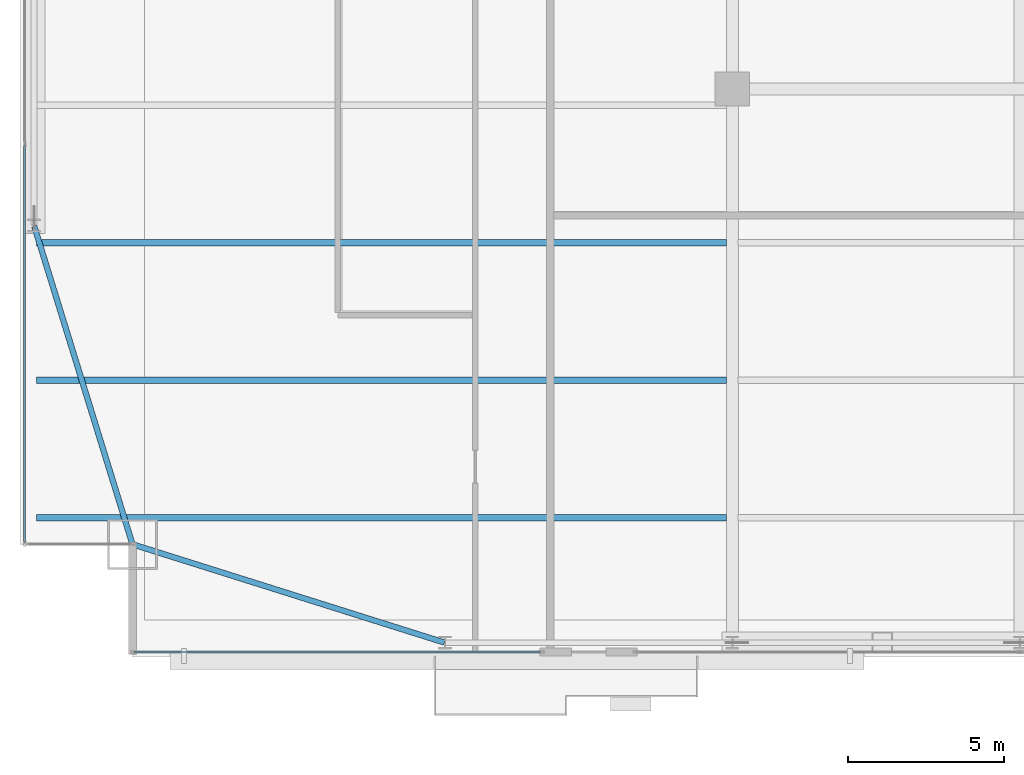
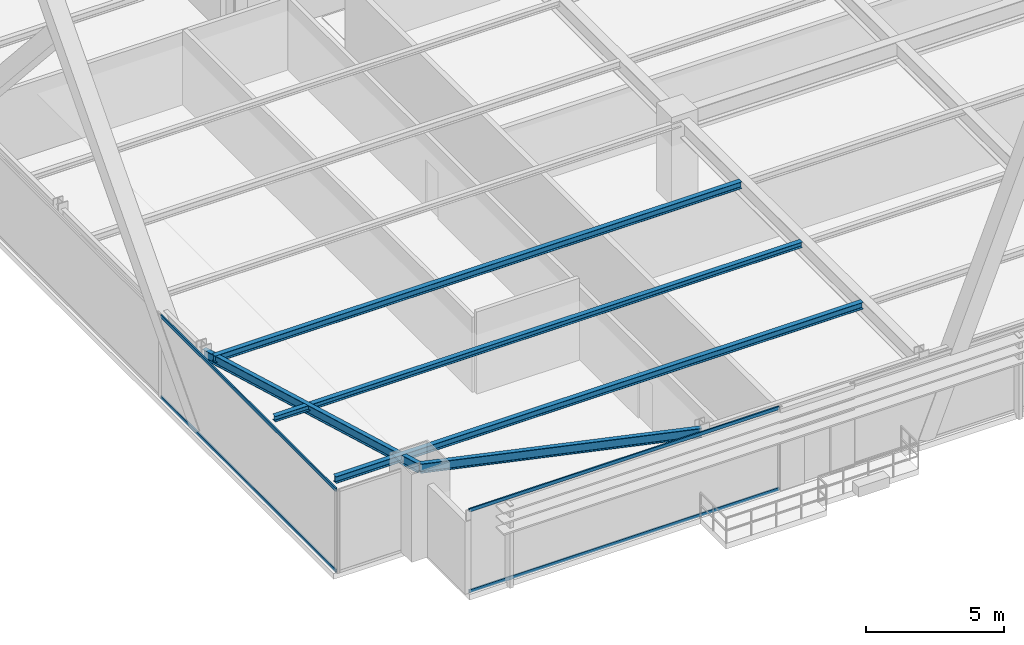
# One storey, part 4 of 32: 5 beams, 4 members, 2 elements without a shape of their own.
"""IFC4 building model written with IfcOpenShell, lengths in metres."""

import ifcopenshell
import ifcopenshell.guid

model = None  # the IFC model being written
_history = None  # IfcOwnerHistory: only IFC2X3 demands one
_inside = {}  # id of a spatial element -> (the spatial element, [elements in it])
_under = {}  # id of a project, library or spatial element -> (it, [spatial elements below it])
_declared = {}  # id of a project -> (the project, [libraries it declares])
_typed = {}  # id of a type object -> (the type object, [elements of that type])
_made_of = {}  # id of a material, layer set ... -> (it, [elements and type objects made of it])


def new_model(schema):
    """Start an empty IFC model of exactly this schema.

    Asked for "IFC4X3", IfcOpenShell would pick the latest addendum, in which some entities
    have other attributes; the version numbers below select the first issue.
    IFC2X3 requires an IfcOwnerHistory on every rooted entity: one is made here for all.
    """
    global model, _history
    if schema == "IFC4X3":
        model = ifcopenshell.file(schema_version=(4, 3, 0, 0))
    else:
        model = ifcopenshell.file(schema=schema)
    _inside.clear()
    _under.clear()
    _declared.clear()
    _typed.clear()
    _made_of.clear()
    _history = None
    if model.schema == "IFC2X3":
        org = make("IfcOrganization", Name="unknown")
        user = make(
            "IfcPersonAndOrganization",
            ThePerson=make("IfcPerson", FamilyName="unknown"),
            TheOrganization=org,
        )
        app = make(
            "IfcApplication",
            ApplicationDeveloper=org,
            Version="unknown",
            ApplicationFullName="unknown",
            ApplicationIdentifier="unknown",
        )
        _history = make(
            "IfcOwnerHistory",
            OwningUser=user,
            OwningApplication=app,
            ChangeAction="ADDED",
            CreationDate=0,
        )
    return model


def make(cls, **values):
    """One entity of the class cls with the attributes given. An attribute that is None is left unset."""
    return model.create_entity(
        cls, **{name: value for name, value in values.items() if value is not None}
    )


def rooted(cls, **values):
    """An entity with a GlobalId (a new one), such as an element, a storey or a relation."""
    return make(cls, GlobalId=ifcopenshell.guid.new(), OwnerHistory=_history, **values)


def si_unit(unit_type, name, prefix=None):
    """IfcSIUnit, for example si_unit("LENGTHUNIT", "METRE", prefix="MILLI")."""
    return make("IfcSIUnit", UnitType=unit_type, Prefix=prefix, Name=name)


def assignment(units):
    """IfcUnitAssignment: the units of a project."""
    return None if units is None else make("IfcUnitAssignment", Units=units)


def point(xyz):
    """IfcCartesianPoint."""
    return None if xyz is None else make("IfcCartesianPoint", Coordinates=xyz)


def direction(xyz):
    """IfcDirection."""
    return None if xyz is None else make("IfcDirection", DirectionRatios=xyz)


def frame(location, z_axis=None, x_axis=None):
    """IfcAxis2Placement3D, a coordinate frame: its origin and axes. An axis left out is left unset."""
    return make(
        "IfcAxis2Placement3D",
        Location=point(location),
        Axis=direction(z_axis),
        RefDirection=direction(x_axis),
    )


def frame_2d(location, x_axis=None):
    """IfcAxis2Placement2D, a coordinate frame in the plane: its origin and x axis."""
    return make(
        "IfcAxis2Placement2D", Location=point(location), RefDirection=direction(x_axis)
    )


def origin():
    """The frame at (0, 0, 0) with its axes left unset."""
    return frame((0.0, 0.0, 0.0))


def origin_2d():
    """The frame at (0, 0) in the plane with its x axis left unset."""
    return frame_2d((0.0, 0.0))


def place(relative_to, where):
    """IfcLocalPlacement: puts the frame where relative to a parent placement (None: the world)."""
    return make(
        "IfcLocalPlacement", PlacementRelTo=relative_to, RelativePlacement=where
    )


def context(
    kind, dimensions, precision=None, world=None, true_north=None, identifier=None
):
    """IfcGeometricRepresentationContext, for example the 3D "Model" context."""
    return make(
        "IfcGeometricRepresentationContext",
        ContextIdentifier=identifier,
        ContextType=kind,
        CoordinateSpaceDimension=dimensions,
        Precision=precision,
        WorldCoordinateSystem=world,
        TrueNorth=true_north,
    )


def subcontext(parent, identifier, kind, view, scale=None):
    """IfcGeometricRepresentationSubContext, for example "Body" below "Model"."""
    return make(
        "IfcGeometricRepresentationSubContext",
        ContextIdentifier=identifier,
        ContextType=kind,
        ParentContext=parent,
        TargetScale=scale,
        TargetView=view,
    )


def project(units=None, contexts=None):
    """IfcProject with its units and contexts."""
    return rooted(
        "IfcProject",
        Name="project",
        RepresentationContexts=contexts,
        UnitsInContext=assignment(units),
    )


def spatial(cls, under=None, at=None, **own):
    """A site, building, storey or space (cls), placed at a placement, below another one or the project."""
    s = rooted(cls, ObjectPlacement=at, **own)
    if under is not None:
        _under.setdefault(under.id(), (under, []))[1].append(s)
    return s


def profile(cls, at=None, kind="AREA", **sizes):
    """A parametric profile (cls). Its sizes go by their IFC names, for example OverallWidth=200.0."""
    return make(cls, ProfileType=kind, Position=at, **sizes)


def hollow_rectangle(**sizes):
    """IfcRectangleHollowProfileDef."""
    return profile("IfcRectangleHollowProfileDef", **sizes)


def i_section(**sizes):
    """IfcIShapeProfileDef."""
    return profile("IfcIShapeProfileDef", **sizes)


def extrude(swept, where, along, depth):
    """IfcExtrudedAreaSolid: the profile swept, set in the frame where, extruded along a direction by depth."""
    return make(
        "IfcExtrudedAreaSolid",
        SweptArea=swept,
        Position=where,
        ExtrudedDirection=direction(along),
        Depth=depth,
    )


def shape(context_of_items, identifier, shape_type, items):
    """IfcShapeRepresentation: the items that make up one representation, for example the "Body"."""
    return make(
        "IfcShapeRepresentation",
        ContextOfItems=context_of_items,
        RepresentationIdentifier=identifier,
        RepresentationType=shape_type,
        Items=items,
    )


def source(mapping_origin, context_of_items, identifier, shape_type, items):
    """IfcRepresentationMap: a shape defined once, which mapped items show again and again."""
    return make(
        "IfcRepresentationMap",
        MappingOrigin=mapping_origin,
        MappedRepresentation=shape(context_of_items, identifier, shape_type, items),
    )


def transform(
    local_origin,
    x_axis=None,
    y_axis=None,
    z_axis=None,
    scale=None,
    scale2=None,
    scale3=None,
    uniform=True,
):
    """IfcCartesianTransformationOperator3D, or its non-uniform kind. x_axis, y_axis, z_axis: its Axis1, 2, 3."""
    if uniform:
        return make(
            "IfcCartesianTransformationOperator3D",
            Axis1=direction(x_axis),
            Axis2=direction(y_axis),
            LocalOrigin=point(local_origin),
            Scale=scale,
            Axis3=direction(z_axis),
        )
    return make(
        "IfcCartesianTransformationOperator3DnonUniform",
        Axis1=direction(x_axis),
        Axis2=direction(y_axis),
        LocalOrigin=point(local_origin),
        Scale=scale,
        Axis3=direction(z_axis),
        Scale2=scale2,
        Scale3=scale3,
    )


def mapped(mapping_source, mapping_target):
    """IfcMappedItem: shows the shape of a source again, moved by a transform."""
    return make(
        "IfcMappedItem", MappingSource=mapping_source, MappingTarget=mapping_target
    )


def material(Name=None, Category=None):
    """IfcMaterial."""
    return make("IfcMaterial", Name=Name, Category=Category)


def layer(
    of_material, thickness, ventilated=None, Name=None, Category=None, Priority=None
):
    """IfcMaterialLayer: one layer of a wall or slab, of a material (None: an air gap)."""
    return make(
        "IfcMaterialLayer",
        Material=of_material,
        LayerThickness=thickness,
        IsVentilated=ventilated,
        Name=Name,
        Category=Category,
        Priority=Priority,
    )


def layer_set(layers, Name=None):
    """IfcMaterialLayerSet."""
    return make("IfcMaterialLayerSet", MaterialLayers=layers, LayerSetName=Name)


def material_profile(
    of_material, cross_section, Name=None, Category=None, Priority=None
):
    """IfcMaterialProfile: a cross section and its material."""
    return make(
        "IfcMaterialProfile",
        Name=Name,
        Material=of_material,
        Profile=cross_section,
        Priority=Priority,
        Category=Category,
    )


def profile_set(profiles, Name=None, composite=None):
    """IfcMaterialProfileSet."""
    return make(
        "IfcMaterialProfileSet",
        Name=Name,
        MaterialProfiles=profiles,
        CompositeProfile=composite,
    )


def made_of(thing, what):
    """Note that an element or type object is made of a material, layer set ...; save() writes the relation."""
    if what is not None:
        _made_of.setdefault(what.id(), (what, []))[1].append(thing)
    return thing


def type_object(cls, material=None, **own):
    """A type object (cls), such as IfcWallType, which elements share."""
    return made_of(rooted(cls, **own), material)


def type_shapes(of_type, sources):
    """Give a type object the sources (RepresentationMaps) that its elements show as mapped items."""
    of_type.RepresentationMaps = sources


def element(
    cls,
    number,
    at=None,
    inside=None,
    cuts=None,
    type_object=None,
    material=None,
    context=None,
    identifier="Body",
    shape_type=None,
    held_by="IfcProductDefinitionShape",
    body=None,
    shapes=None,
    **own,
):
    """One element of the class cls, such as IfcWall. Its Tag is "e" and its number.

    at: its placement. inside: the storey or other place that contains it. cuts: it is an
    opening in that element (IfcRelVoidsElement). A single representation is given by context,
    identifier, shape_type and body (its items); several are given by shapes. held_by: the class
    of the entity that holds the representations. save() writes the other relations.
    """
    e = rooted(cls, Tag="e%d" % number, ObjectPlacement=at, **own)
    if body is not None:
        shapes = [shape(context, identifier, shape_type, body)]
    if shapes is not None:
        e.Representation = make(held_by, Representations=shapes)
    if inside is not None:
        _inside.setdefault(inside.id(), (inside, []))[1].append(e)
    if cuts is not None:
        rooted(
            "IfcRelVoidsElement", RelatingBuildingElement=cuts, RelatedOpeningElement=e
        )
    if type_object is not None:
        _typed.setdefault(type_object.id(), (type_object, []))[1].append(e)
    return made_of(e, material)


def aggregate(whole, parts):
    """IfcRelAggregates: a whole, such as a stair, and the parts it consists of."""
    return rooted("IfcRelAggregates", RelatingObject=whole, RelatedObjects=parts)


def save(model, path):
    """Write the relations noted so far, then the file.

    IfcRelAggregates (storeys below a building ...), IfcRelContainedInSpatialStructure (elements
    in a storey), IfcRelDefinesByType, IfcRelAssociatesMaterial and IfcRelDeclares: one each for
    every whole, place, type object, material and project.
    """
    for whole, parts in _under.values():
        aggregate(whole, parts)
    for where, things in _inside.values():
        rooted(
            "IfcRelContainedInSpatialStructure",
            RelatedElements=things,
            RelatingStructure=where,
        )
    for kind, things in _typed.values():
        rooted("IfcRelDefinesByType", RelatedObjects=things, RelatingType=kind)
    for what, things in _made_of.values():
        rooted("IfcRelAssociatesMaterial", RelatedObjects=things, RelatingMaterial=what)
    for by, libraries in _declared.values():
        rooted("IfcRelDeclares", RelatingContext=by, RelatedDefinitions=libraries)
    model.write(path)


model = new_model("IFC4")

# Units and contexts
model_context = context("Model", 3, precision=1e-05, world=origin(), true_north=direction((0.0, 1.0)))
body_context = subcontext(model_context, "Body", "Model", "MODEL_VIEW")
ifc_project = project(units=[si_unit("LENGTHUNIT", "METRE"), si_unit("AREAUNIT", "SQUARE_METRE"), si_unit("VOLUMEUNIT", "CUBIC_METRE"), si_unit("PLANEANGLEUNIT", "RADIAN"), si_unit("MASSUNIT", "GRAM", prefix="KILO")], contexts=[model_context])

# Site, building, storey
site_placement = place(None, origin())
site = spatial("IfcSite", under=ifc_project, at=site_placement, CompositionType="ELEMENT")
building_placement = place(site_placement, origin())
building = spatial("IfcBuilding", under=site, at=building_placement, Name="Varnel Quay Broadcast Tower", CompositionType="ELEMENT")
storey_placement = place(building_placement, frame((0.0, 0.0, 58.800048828125)))
storey = spatial("IfcBuildingStorey", under=building, at=storey_placement, Name="L13", CompositionType="ELEMENT", Elevation=58.800048828125)

# Beams
ifc_material_1 = material(Name="Structural Steel CSA G40.21 350W", Category="steel")
ifc_material_profile_1 = material_profile(ifc_material_1, i_section(OverallWidth=0.180908203125, OverallDepth=0.4169921875, WebThickness=0.010986328125, FlangeThickness=0.018310546875, FilletRadius=0.011962890625, at=origin_2d()), Name="W410X85")
ifc_profile_set_1 = profile_set([ifc_material_profile_1], Name="Structural Steel CSA G40.21 350W")
beam_type_1 = type_object("IfcBeamType", Name="Beam_W410X85", PredefinedType="SPANDREL", material=ifc_profile_set_1)
shared_shape_1 = source(origin(), body_context, "Body", "SweptSolid", [
    extrude(i_section(OverallWidth=0.180908203125, OverallDepth=0.4169921875, WebThickness=0.010986328125, FlangeThickness=0.018310546875, FilletRadius=0.011962890625, at=origin_2d()), origin(), (0.0, 0.0, 1.0), 10.444091796875),
])
beam_1_placement = place(storey_placement, frame((5.619140625, 4.7939453125, 3.44140625), z_axis=(0.953798277271, -0.300447743003, 0.0), x_axis=(0.300447743003, 0.953798277271, 0.0)))
element("IfcBeam", 1, at=beam_1_placement, inside=storey, type_object=beam_type_1, Name="L13 South Spandrel MC-SW-TC-S1", PredefinedType="SPANDREL", context=body_context, shape_type="MappedRepresentation", body=[
    mapped(shared_shape_1, transform((0.0, 0.0, 0.0), x_axis=(1.0, 0.0, 0.0), y_axis=(0.0, 1.0, 0.0), z_axis=(0.0, 0.0, 1.0), scale=1.0)),
])
shared_shape_2 = source(origin(), body_context, "Body", "SweptSolid", [
    extrude(i_section(OverallWidth=0.180908203125, OverallDepth=0.4169921875, WebThickness=0.010986328125, FlangeThickness=0.018310546875, FilletRadius=0.011962890625, at=origin_2d()), origin(), (0.0, 0.0, 1.0), 10.635498046875),
])
type_shapes(beam_type_1, [shared_shape_1, shared_shape_2])
beam_2_placement = place(storey_placement, frame((5.593994140625, 4.819091796875, 3.44140625), z_axis=(-0.295069676324, 0.955475738108, 0.0), x_axis=(-0.955475738108, -0.295069676324, 0.0)))
element("IfcBeam", 2, at=beam_2_placement, inside=storey, type_object=beam_type_1, Name="L13 West Spandrel MC-SW-TC-W1", PredefinedType="SPANDREL", context=body_context, shape_type="MappedRepresentation", body=[
    mapped(shared_shape_2, transform((0.0, 0.0, 0.0), x_axis=(1.0, 0.0, 0.0), y_axis=(0.0, 1.0, 0.0), z_axis=(0.0, 0.0, 1.0), scale=1.0)),
])
ifc_material_profile_2 = material_profile(ifc_material_1, i_section(OverallWidth=0.202880859375, OverallDepth=0.302978515625, WebThickness=0.007568359375, FlangeThickness=0.01318359375, FilletRadius=0.011962890625, at=origin_2d()), Name="W310X60")
ifc_profile_set_2 = profile_set([ifc_material_profile_2], Name="Structural Steel CSA G40.21 350W")
beam_type_2 = type_object("IfcBeamType", Name="Beam_W310X60", PredefinedType="JOIST", material=ifc_profile_set_2)
shared_shape_3 = source(origin(), body_context, "Body", "SweptSolid", [
    extrude(i_section(OverallWidth=0.202880859375, OverallDepth=0.302978515625, WebThickness=0.007568359375, FlangeThickness=0.01318359375, FilletRadius=0.011962890625, at=origin_2d()), origin(), (0.0, 0.0, 1.0), 22.0791015625),
])
type_shapes(beam_type_2, [shared_shape_3])
for number, where, z_axis, x_axis, name in (
    (3, (2.535400390625, 5.64990234375, 3.49853515625), (1.0, 0.0, 0.0), (0.0, 1.0, 0.0), "L13 West Floor Joist 1"),
    (4, (2.535400390625, 14.449951171875, 3.49853515625), (1.0, 0.0, 0.0), (0.0, 1.0, 0.0), "L13 West Floor Joist 3"),
):
    element("IfcBeam", number, at=place(storey_placement, frame(where, z_axis=z_axis, x_axis=x_axis)), inside=storey, type_object=beam_type_2, Name=name, PredefinedType="JOIST", context=body_context, shape_type="MappedRepresentation", body=[
        mapped(shared_shape_3, transform((0.0, 0.0, 0.0), x_axis=(1.0, 0.0, 0.0), y_axis=(0.0, 1.0, 0.0), z_axis=(0.0, 0.0, 1.0), scale=1.0)),
    ])
ifc_material_profile_3 = material_profile(ifc_material_1, i_section(OverallWidth=0.201904296875, OverallDepth=0.2470703125, WebThickness=0.00732421875, FlangeThickness=0.010986328125, FilletRadius=0.010986328125, at=origin_2d()), Name="W250X49")
ifc_profile_set_3 = profile_set([ifc_material_profile_3], Name="Structural Steel CSA G40.21 350W")
beam_type_3 = type_object("IfcBeamType", Name="Beam_W250X49", PredefinedType="JOIST", material=ifc_profile_set_3)
shared_shape_4 = source(origin(), body_context, "Body", "SweptSolid", [
    extrude(i_section(OverallWidth=0.201904296875, OverallDepth=0.2470703125, WebThickness=0.00732421875, FlangeThickness=0.010986328125, FilletRadius=0.010986328125, at=origin_2d()), origin(), (0.0, 0.0, 1.0), 22.0791015625),
])
type_shapes(beam_type_3, [shared_shape_4])
beam_3_placement = place(storey_placement, frame((2.535400390625, 10.050048828125, 3.5263671875), z_axis=(1.0, 0.0, 0.0), x_axis=(0.0, 1.0, 0.0)))
element("IfcBeam", 5, at=beam_3_placement, inside=storey, type_object=beam_type_3, Name="L13 West Floor Joist 2", PredefinedType="JOIST", context=body_context, shape_type="MappedRepresentation", body=[
    mapped(shared_shape_4, transform((0.0, 0.0, 0.0), x_axis=(1.0, 0.0, 0.0), y_axis=(0.0, 1.0, 0.0), z_axis=(0.0, 0.0, 1.0), scale=1.0)),
])

# Curtain wall, members
ifc_material_2 = material(Name="Anodised Bronze Aluminium 6063-T6", Category="aluminium")
ifc_layer = layer(ifc_material_2, 0.18994140625, Name="Anodised Bronze Aluminium 6063-T6")
ifc_layer_set = layer_set([ifc_layer], Name="Anodised Bronze Aluminium 6063-T6")
curtain_wall_type = type_object("IfcCurtainWallType", Name="CW_LowerTower", PredefinedType="NOTDEFINED", material=ifc_layer_set)
curtain_wall_1_placement = place(storey_placement, origin())
curtain_wall_1 = element("IfcCurtainWall", 6, at=curtain_wall_1_placement, inside=storey, type_object=curtain_wall_type, Name="L13 South Unitised Curtain Wall 1", PredefinedType="NOTDEFINED")
ifc_material_profile_4 = material_profile(ifc_material_2, hollow_rectangle(XDim=0.06005859375, YDim=0.14501953125, WallThickness=0.00341796875, at=origin_2d()), Name="ALU60X145X3.5")
ifc_profile_set_4 = profile_set([ifc_material_profile_4], Name="Anodised Bronze Aluminium 6063-T6")
member_type = type_object("IfcMemberType", Name="Tran_CWS-02", PredefinedType="USERDEFINED", material=ifc_profile_set_4)
shared_shape_5 = source(origin(), body_context, "Body", "SweptSolid", [
    extrude(hollow_rectangle(XDim=0.06005859375, YDim=0.14501953125, WallThickness=0.00341796875, at=origin_2d()), origin(), (0.0, 0.0, 1.0), 12.97998046875),
])
member_1_placement = place(storey_placement, frame((5.669921875, 1.35009765625, 0.030029296875), z_axis=(1.0, 0.0, 0.0), x_axis=(0.0, 1.0, 0.0)))
member_1 = element("IfcMember", 7, at=member_1_placement, type_object=member_type, Name="CWS-02 transom 1.1", ObjectType="TRANSOM", PredefinedType="USERDEFINED", context=body_context, shape_type="MappedRepresentation", body=[
    mapped(shared_shape_5, transform((0.0, 0.0, 0.0), x_axis=(1.0, 0.0, 0.0), y_axis=(0.0, 1.0, 0.0), z_axis=(0.0, 0.0, 1.0), scale=1.0)),
])
member_2_placement = place(storey_placement, frame((5.669921875, 1.35009765625, 3.619873046875), z_axis=(1.0, 0.0, 0.0), x_axis=(0.0, 1.0, 0.0)))
member_2 = element("IfcMember", 8, at=member_2_placement, type_object=member_type, Name="CWS-02 transom 1.2", ObjectType="TRANSOM", PredefinedType="USERDEFINED", context=body_context, shape_type="MappedRepresentation", body=[
    mapped(shared_shape_5, transform((0.0, 0.0, 0.0), x_axis=(1.0, 0.0, 0.0), y_axis=(0.0, 1.0, 0.0), z_axis=(0.0, 0.0, 1.0), scale=1.0)),
])
aggregate(curtain_wall_1, [member_1, member_2])

curtain_wall_2_placement = place(storey_placement, origin())
curtain_wall_2 = element("IfcCurtainWall", 9, at=curtain_wall_2_placement, inside=storey, type_object=curtain_wall_type, Name="L13 West Unitised Curtain Wall", PredefinedType="NOTDEFINED")
shared_shape_6 = source(origin(), body_context, "Body", "SweptSolid", [
    extrude(hollow_rectangle(XDim=0.06005859375, YDim=0.14501953125, WallThickness=0.00341796875, at=origin_2d()), origin(), (0.0, 0.0, 1.0), 12.69482421875),
])
type_shapes(member_type, [shared_shape_5, shared_shape_6])
member_3_placement = place(storey_placement, frame((2.14990234375, 4.8701171875, 0.030029296875), z_axis=(0.0, 1.0, 0.0), x_axis=(-1.0, 0.0, 0.0)))
member_3 = element("IfcMember", 10, at=member_3_placement, type_object=member_type, Name="CWS-02 transom 1.1", ObjectType="TRANSOM", PredefinedType="USERDEFINED", context=body_context, shape_type="MappedRepresentation", body=[
    mapped(shared_shape_6, transform((0.0, 0.0, 0.0), x_axis=(1.0, 0.0, 0.0), y_axis=(0.0, 1.0, 0.0), z_axis=(0.0, 0.0, 1.0), scale=1.0)),
])
member_4_placement = place(storey_placement, frame((2.14990234375, 4.8701171875, 3.619873046875), z_axis=(0.0, 1.0, 0.0), x_axis=(-1.0, 0.0, 0.0)))
member_4 = element("IfcMember", 11, at=member_4_placement, type_object=member_type, Name="CWS-02 transom 1.2", ObjectType="TRANSOM", PredefinedType="USERDEFINED", context=body_context, shape_type="MappedRepresentation", body=[
    mapped(shared_shape_6, transform((0.0, 0.0, 0.0), x_axis=(1.0, 0.0, 0.0), y_axis=(0.0, 1.0, 0.0), z_axis=(0.0, 0.0, 1.0), scale=1.0)),
])
aggregate(curtain_wall_2, [member_3, member_4])

save(model, "model.ifc")
